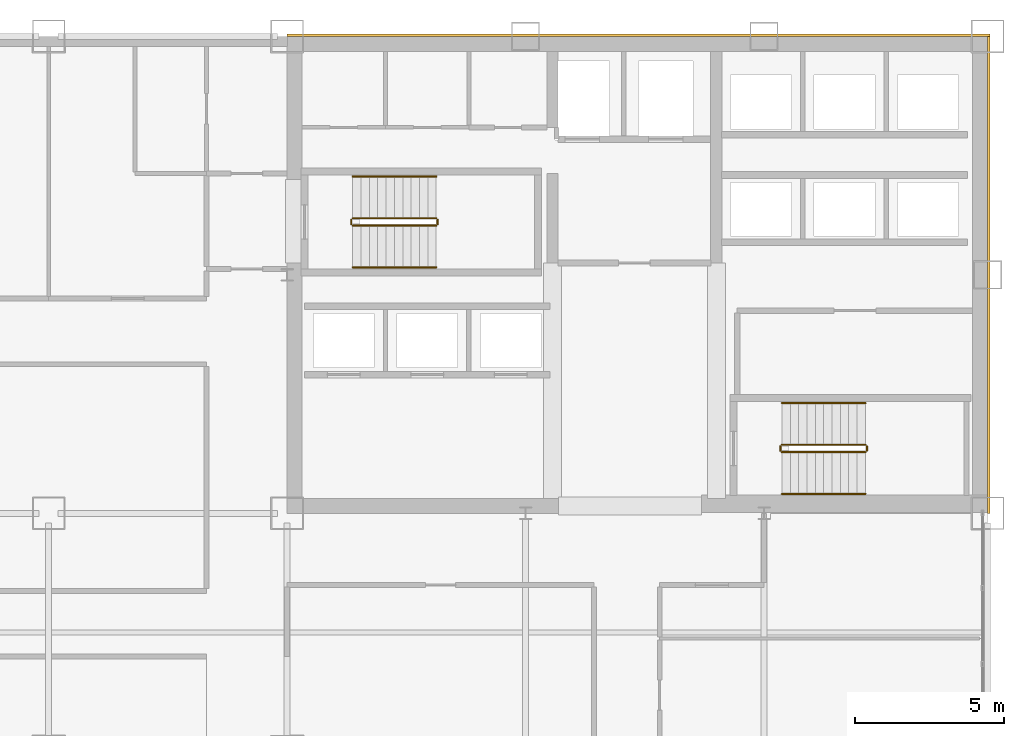
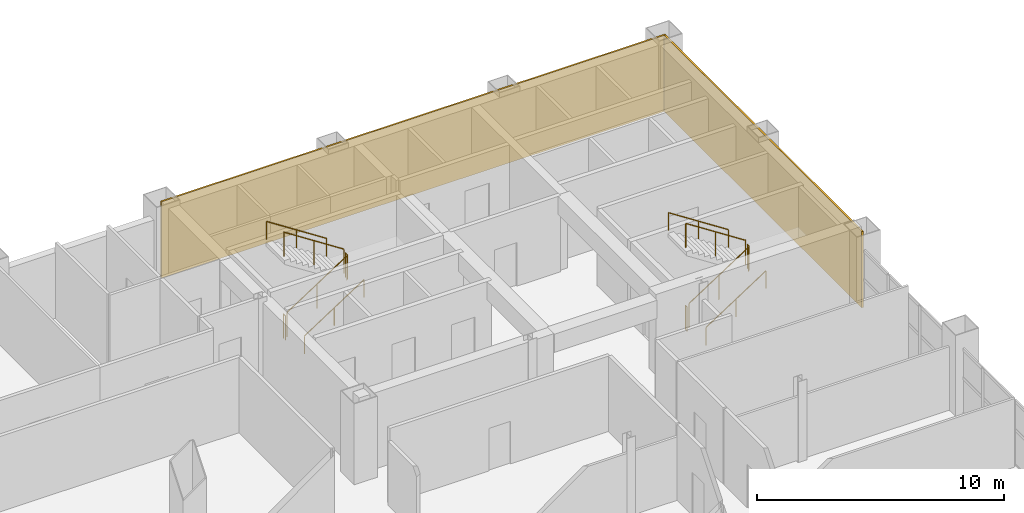
# One storey, part 16 of 16: 12 railings, 2 coverings.
"""IFC4 building model written with IfcOpenShell, lengths in metres."""

import ifcopenshell
import ifcopenshell.guid

model = None  # the IFC model being written
_history = None  # IfcOwnerHistory: only IFC2X3 demands one
_inside = {}  # id of a spatial element -> (the spatial element, [elements in it])
_under = {}  # id of a project, library or spatial element -> (it, [spatial elements below it])
_declared = {}  # id of a project -> (the project, [libraries it declares])
_typed = {}  # id of a type object -> (the type object, [elements of that type])
_made_of = {}  # id of a material, layer set ... -> (it, [elements and type objects made of it])


def new_model(schema):
    """Start an empty IFC model of exactly this schema.

    Asked for "IFC4X3", IfcOpenShell would pick the latest addendum, in which some entities
    have other attributes; the version numbers below select the first issue.
    IFC2X3 requires an IfcOwnerHistory on every rooted entity: one is made here for all.
    """
    global model, _history
    if schema == "IFC4X3":
        model = ifcopenshell.file(schema_version=(4, 3, 0, 0))
    else:
        model = ifcopenshell.file(schema=schema)
    _inside.clear()
    _under.clear()
    _declared.clear()
    _typed.clear()
    _made_of.clear()
    _history = None
    if model.schema == "IFC2X3":
        org = make("IfcOrganization", Name="unknown")
        user = make(
            "IfcPersonAndOrganization",
            ThePerson=make("IfcPerson", FamilyName="unknown"),
            TheOrganization=org,
        )
        app = make(
            "IfcApplication",
            ApplicationDeveloper=org,
            Version="unknown",
            ApplicationFullName="unknown",
            ApplicationIdentifier="unknown",
        )
        _history = make(
            "IfcOwnerHistory",
            OwningUser=user,
            OwningApplication=app,
            ChangeAction="ADDED",
            CreationDate=0,
        )
    return model


def make(cls, **values):
    """One entity of the class cls with the attributes given. An attribute that is None is left unset."""
    return model.create_entity(
        cls, **{name: value for name, value in values.items() if value is not None}
    )


def rooted(cls, **values):
    """An entity with a GlobalId (a new one), such as an element, a storey or a relation."""
    return make(cls, GlobalId=ifcopenshell.guid.new(), OwnerHistory=_history, **values)


def si_unit(unit_type, name, prefix=None):
    """IfcSIUnit, for example si_unit("LENGTHUNIT", "METRE", prefix="MILLI")."""
    return make("IfcSIUnit", UnitType=unit_type, Prefix=prefix, Name=name)


def assignment(units):
    """IfcUnitAssignment: the units of a project."""
    return None if units is None else make("IfcUnitAssignment", Units=units)


def point(xyz):
    """IfcCartesianPoint."""
    return None if xyz is None else make("IfcCartesianPoint", Coordinates=xyz)


def direction(xyz):
    """IfcDirection."""
    return None if xyz is None else make("IfcDirection", DirectionRatios=xyz)


def frame(location, z_axis=None, x_axis=None):
    """IfcAxis2Placement3D, a coordinate frame: its origin and axes. An axis left out is left unset."""
    return make(
        "IfcAxis2Placement3D",
        Location=point(location),
        Axis=direction(z_axis),
        RefDirection=direction(x_axis),
    )


def frame_2d(location, x_axis=None):
    """IfcAxis2Placement2D, a coordinate frame in the plane: its origin and x axis."""
    return make(
        "IfcAxis2Placement2D", Location=point(location), RefDirection=direction(x_axis)
    )


def origin():
    """The frame at (0, 0, 0) with its axes left unset."""
    return frame((0.0, 0.0, 0.0))


def origin_2d():
    """The frame at (0, 0) in the plane with its x axis left unset."""
    return frame_2d((0.0, 0.0))


def place(relative_to, where):
    """IfcLocalPlacement: puts the frame where relative to a parent placement (None: the world)."""
    return make(
        "IfcLocalPlacement", PlacementRelTo=relative_to, RelativePlacement=where
    )


def context(
    kind, dimensions, precision=None, world=None, true_north=None, identifier=None
):
    """IfcGeometricRepresentationContext, for example the 3D "Model" context."""
    return make(
        "IfcGeometricRepresentationContext",
        ContextIdentifier=identifier,
        ContextType=kind,
        CoordinateSpaceDimension=dimensions,
        Precision=precision,
        WorldCoordinateSystem=world,
        TrueNorth=true_north,
    )


def subcontext(parent, identifier, kind, view, scale=None):
    """IfcGeometricRepresentationSubContext, for example "Body" below "Model"."""
    return make(
        "IfcGeometricRepresentationSubContext",
        ContextIdentifier=identifier,
        ContextType=kind,
        ParentContext=parent,
        TargetScale=scale,
        TargetView=view,
    )


def project(units=None, contexts=None):
    """IfcProject with its units and contexts."""
    return rooted(
        "IfcProject",
        Name="project",
        RepresentationContexts=contexts,
        UnitsInContext=assignment(units),
    )


def spatial(cls, under=None, at=None, **own):
    """A site, building, storey or space (cls), placed at a placement, below another one or the project."""
    s = rooted(cls, ObjectPlacement=at, **own)
    if under is not None:
        _under.setdefault(under.id(), (under, []))[1].append(s)
    return s


def profile(cls, at=None, kind="AREA", **sizes):
    """A parametric profile (cls). Its sizes go by their IFC names, for example OverallWidth=200.0."""
    return make(cls, ProfileType=kind, Position=at, **sizes)


def rectangle(**sizes):
    """IfcRectangleProfileDef."""
    return profile("IfcRectangleProfileDef", **sizes)


def circle(**sizes):
    """IfcCircleProfileDef."""
    return profile("IfcCircleProfileDef", **sizes)


def extrude(swept, where, along, depth):
    """IfcExtrudedAreaSolid: the profile swept, set in the frame where, extruded along a direction by depth."""
    return make(
        "IfcExtrudedAreaSolid",
        SweptArea=swept,
        Position=where,
        ExtrudedDirection=direction(along),
        Depth=depth,
    )


def shape(context_of_items, identifier, shape_type, items):
    """IfcShapeRepresentation: the items that make up one representation, for example the "Body"."""
    return make(
        "IfcShapeRepresentation",
        ContextOfItems=context_of_items,
        RepresentationIdentifier=identifier,
        RepresentationType=shape_type,
        Items=items,
    )


def material(Name=None, Category=None):
    """IfcMaterial."""
    return make("IfcMaterial", Name=Name, Category=Category)


def layer(
    of_material, thickness, ventilated=None, Name=None, Category=None, Priority=None
):
    """IfcMaterialLayer: one layer of a wall or slab, of a material (None: an air gap)."""
    return make(
        "IfcMaterialLayer",
        Material=of_material,
        LayerThickness=thickness,
        IsVentilated=ventilated,
        Name=Name,
        Category=Category,
        Priority=Priority,
    )


def layer_set(layers, Name=None):
    """IfcMaterialLayerSet."""
    return make("IfcMaterialLayerSet", MaterialLayers=layers, LayerSetName=Name)


def made_of(thing, what):
    """Note that an element or type object is made of a material, layer set ...; save() writes the relation."""
    if what is not None:
        _made_of.setdefault(what.id(), (what, []))[1].append(thing)
    return thing


def type_object(cls, material=None, **own):
    """A type object (cls), such as IfcWallType, which elements share."""
    return made_of(rooted(cls, **own), material)


def element(
    cls,
    number,
    at=None,
    inside=None,
    cuts=None,
    type_object=None,
    material=None,
    context=None,
    identifier="Body",
    shape_type=None,
    held_by="IfcProductDefinitionShape",
    body=None,
    shapes=None,
    **own,
):
    """One element of the class cls, such as IfcWall. Its Tag is "e" and its number.

    at: its placement. inside: the storey or other place that contains it. cuts: it is an
    opening in that element (IfcRelVoidsElement). A single representation is given by context,
    identifier, shape_type and body (its items); several are given by shapes. held_by: the class
    of the entity that holds the representations. save() writes the other relations.
    """
    e = rooted(cls, Tag="e%d" % number, ObjectPlacement=at, **own)
    if body is not None:
        shapes = [shape(context, identifier, shape_type, body)]
    if shapes is not None:
        e.Representation = make(held_by, Representations=shapes)
    if inside is not None:
        _inside.setdefault(inside.id(), (inside, []))[1].append(e)
    if cuts is not None:
        rooted(
            "IfcRelVoidsElement", RelatingBuildingElement=cuts, RelatedOpeningElement=e
        )
    if type_object is not None:
        _typed.setdefault(type_object.id(), (type_object, []))[1].append(e)
    return made_of(e, material)


def aggregate(whole, parts):
    """IfcRelAggregates: a whole, such as a stair, and the parts it consists of."""
    return rooted("IfcRelAggregates", RelatingObject=whole, RelatedObjects=parts)


def save(model, path):
    """Write the relations noted so far, then the file.

    IfcRelAggregates (storeys below a building ...), IfcRelContainedInSpatialStructure (elements
    in a storey), IfcRelDefinesByType, IfcRelAssociatesMaterial and IfcRelDeclares: one each for
    every whole, place, type object, material and project.
    """
    for whole, parts in _under.values():
        aggregate(whole, parts)
    for where, things in _inside.values():
        rooted(
            "IfcRelContainedInSpatialStructure",
            RelatedElements=things,
            RelatingStructure=where,
        )
    for kind, things in _typed.values():
        rooted("IfcRelDefinesByType", RelatedObjects=things, RelatingType=kind)
    for what, things in _made_of.values():
        rooted("IfcRelAssociatesMaterial", RelatedObjects=things, RelatingMaterial=what)
    for by, libraries in _declared.values():
        rooted("IfcRelDeclares", RelatingContext=by, RelatedDefinitions=libraries)
    model.write(path)


model = new_model("IFC4")

# Units and contexts
model_context = context("Model", 3, precision=1e-05, world=origin(), true_north=direction((0.0, 1.0)))
body_context = subcontext(model_context, "Body", "Model", "MODEL_VIEW")
ifc_project = project(units=[si_unit("LENGTHUNIT", "METRE"), si_unit("AREAUNIT", "SQUARE_METRE"), si_unit("VOLUMEUNIT", "CUBIC_METRE"), si_unit("PLANEANGLEUNIT", "RADIAN"), si_unit("MASSUNIT", "GRAM", prefix="KILO")], contexts=[model_context])

# Site, building, storey
site_placement = place(None, origin())
site = spatial("IfcSite", under=ifc_project, at=site_placement, CompositionType="ELEMENT")
building_placement = place(site_placement, origin())
building = spatial("IfcBuilding", under=site, at=building_placement, Name="Qianrong Seaharbour Tower", CompositionType="ELEMENT")
storey_placement = place(building_placement, frame((0.0, 0.0, 123.0)))
storey = spatial("IfcBuildingStorey", under=building, at=storey_placement, Name="L29", CompositionType="ELEMENT", Elevation=123.0)

# Coverings
ifc_material_1 = material(Name="Unitised red brick cladding on Precast concrete C45/55", Category="masonry")
ifc_layer = layer(ifc_material_1, 0.080078125)
ifc_layer_set = layer_set([ifc_layer], Name="Unitised red brick cladding on Precast concrete C45/55")
covering_type = type_object("IfcCoveringType", Name="COV-CLAD-RED-BRICK-80", PredefinedType="CLADDING", material=ifc_layer_set)
covering_1_placement = place(storey_placement, frame((52.2900390625, 52.0400390625, 0.0), z_axis=(0.0, 0.0, 1.0), x_axis=(1.0, 0.0, 0.0)))
element("IfcCovering", 1, at=covering_1_placement, inside=storey, type_object=covering_type, Name="L29 North Core Brick Veneer Cladding", PredefinedType="CLADDING", context=body_context, shape_type="SweptSolid", body=[
    extrude(rectangle(XDim=23.580078125, YDim=0.080078125, at=origin_2d()), origin(), (0.0, 0.0, 1.0), 3.764892578125),
])
covering_2_placement = place(storey_placement, frame((64.0400390625, 44.0, 0.0), z_axis=(0.0, 0.0, 1.0), x_axis=(1.0, 0.0, 0.0)))
element("IfcCovering", 2, at=covering_2_placement, inside=storey, type_object=covering_type, Name="L29 East Core Brick Veneer Cladding", PredefinedType="CLADDING", context=body_context, shape_type="SweptSolid", body=[
    extrude(rectangle(XDim=0.080078125, YDim=16.0, at=origin_2d()), origin(), (0.0, 0.0, 1.0), 3.764892578125),
])

# Railings
ifc_material_2 = material(Name="Galvanized painted steel SN400B stair guard", Category="steel")
railing_type_1 = type_object("IfcRailingType", Name="RAIL-STAIR-GUARD-1220", PredefinedType="GUARDRAIL", material=ifc_material_2)
railing_1_placement = place(storey_placement, frame((42.699951171875, 45.64990234375, 0.181884765625)))
element("IfcRailing", 3, at=railing_1_placement, inside=storey, type_object=railing_type_1, Name="L29 ST-1 stair guard 1", PredefinedType="GUARDRAIL", context=body_context, shape_type="SweptSolid", body=[
    extrude(circle(Radius=0.02392578125, at=origin_2d()), frame((0.0, 0.0, 1.19580078125), z_axis=(0.838705829183, 0.0, 0.544584733623), x_axis=(0.0, 1.0, 0.0)), (0.0, 0.0, 1.0), 3.338623046875),
    extrude(circle(Radius=0.02099609375, at=origin_2d()), origin(), (0.0, 0.0, 1.0), 1.171875),
    extrude(circle(Radius=0.02099609375, at=origin_2d()), frame((1.39990234375, 0.0, 0.9091796875)), (0.0, 0.0, 1.0), 1.171875),
    extrude(circle(Radius=0.02099609375, at=origin_2d()), frame((2.800048828125, 0.0, 1.818115234375)), (0.0, 0.0, 1.0), 1.171875),
])
railing_2_placement = place(storey_placement, frame((45.550048828125, 45.699951171875, 2.0)))
element("IfcRailing", 4, at=railing_2_placement, inside=storey, type_object=railing_type_1, Name="L29 ST-1 stair guard 2", PredefinedType="GUARDRAIL", context=body_context, shape_type="SweptSolid", body=[
    extrude(circle(Radius=0.02392578125, at=origin_2d()), frame((0.0, 0.0, 1.19580078125), z_axis=(0.0, 1.0, 0.0), x_axis=(-1.0, 0.0, 0.0)), (0.0, 0.0, 1.0), 0.150146484375),
    extrude(circle(Radius=0.02099609375, at=origin_2d()), origin(), (0.0, 0.0, 1.0), 1.171875),
    extrude(circle(Radius=0.02099609375, at=origin_2d()), frame((0.0, 0.150146484375, 0.0)), (0.0, 0.0, 1.0), 1.171875),
])
railing_3_placement = place(storey_placement, frame((45.5, 45.89990234375, 2.181884765625)))
element("IfcRailing", 5, at=railing_3_placement, inside=storey, type_object=railing_type_1, Name="L29 ST-1 stair guard 3", PredefinedType="GUARDRAIL", context=body_context, shape_type="SweptSolid", body=[
    extrude(circle(Radius=0.02392578125, at=origin_2d()), frame((0.0, 0.0, 1.19580078125), z_axis=(-0.838705829183, 0.0, 0.544584733623), x_axis=(0.0, -1.0, 0.0)), (0.0, 0.0, 1.0), 3.338623046875),
    extrude(circle(Radius=0.02099609375, at=origin_2d()), origin(), (0.0, 0.0, 1.0), 1.171875),
    extrude(circle(Radius=0.02099609375, at=origin_2d()), frame((-1.39990234375, 0.0, 0.9091796875)), (0.0, 0.0, 1.0), 1.171875),
    extrude(circle(Radius=0.02099609375, at=origin_2d()), frame((-2.800048828125, 0.0, 1.818115234375)), (0.0, 0.0, 1.0), 1.171875),
])
railing_4_placement = place(storey_placement, frame((42.64990234375, 45.699951171875, 0.0)))
element("IfcRailing", 6, at=railing_4_placement, inside=storey, type_object=railing_type_1, Name="L29 ST-1 stair guard 4", PredefinedType="GUARDRAIL", context=body_context, shape_type="SweptSolid", body=[
    extrude(circle(Radius=0.02392578125, at=origin_2d()), frame((0.0, 0.0, 1.19580078125), z_axis=(0.0, 1.0, 0.0), x_axis=(-1.0, 0.0, 0.0)), (0.0, 0.0, 1.0), 0.150146484375),
    extrude(circle(Radius=0.02099609375, at=origin_2d()), origin(), (0.0, 0.0, 1.0), 1.171875),
    extrude(circle(Radius=0.02099609375, at=origin_2d()), frame((0.0, 0.150146484375, 0.0)), (0.0, 0.0, 1.0), 1.171875),
])
railing_5_placement = place(storey_placement, frame((57.10009765625, 38.050048828125, 0.181884765625)))
element("IfcRailing", 7, at=railing_5_placement, inside=storey, type_object=railing_type_1, Name="L29 ST-2 stair guard 1", PredefinedType="GUARDRAIL", context=body_context, shape_type="SweptSolid", body=[
    extrude(circle(Radius=0.02392578125, at=origin_2d()), frame((0.0, 0.0, 1.19580078125), z_axis=(0.83868413941, 0.0, 0.544618136222), x_axis=(0.0, 1.0, 0.0)), (0.0, 0.0, 1.0), 3.33837890625),
    extrude(circle(Radius=0.02099609375, at=origin_2d()), origin(), (0.0, 0.0, 1.0), 1.171875),
    extrude(circle(Radius=0.02099609375, at=origin_2d()), frame((1.39990234375, 0.0, 0.9091796875)), (0.0, 0.0, 1.0), 1.171875),
    extrude(circle(Radius=0.02099609375, at=origin_2d()), frame((2.7998046875, 0.0, 1.818115234375)), (0.0, 0.0, 1.0), 1.171875),
])
railing_6_placement = place(storey_placement, frame((59.949951171875, 38.10009765625, 2.0)))
element("IfcRailing", 8, at=railing_6_placement, inside=storey, type_object=railing_type_1, Name="L29 ST-2 stair guard 2", PredefinedType="GUARDRAIL", context=body_context, shape_type="SweptSolid", body=[
    extrude(circle(Radius=0.02392578125, at=origin_2d()), frame((0.0, 0.0, 1.19580078125), z_axis=(0.0, 1.0, 0.0), x_axis=(-1.0, 0.0, 0.0)), (0.0, 0.0, 1.0), 0.14990234375),
    extrude(circle(Radius=0.02099609375, at=origin_2d()), origin(), (0.0, 0.0, 1.0), 1.171875),
    extrude(circle(Radius=0.02099609375, at=origin_2d()), frame((0.0, 0.14990234375, 0.0)), (0.0, 0.0, 1.0), 1.171875),
])
railing_7_placement = place(storey_placement, frame((59.89990234375, 38.300048828125, 2.181884765625)))
element("IfcRailing", 9, at=railing_7_placement, inside=storey, type_object=railing_type_1, Name="L29 ST-2 stair guard 3", PredefinedType="GUARDRAIL", context=body_context, shape_type="SweptSolid", body=[
    extrude(circle(Radius=0.02392578125, at=origin_2d()), frame((0.0, 0.0, 1.19580078125), z_axis=(-0.83868413941, 0.0, 0.544618136222), x_axis=(0.0, -1.0, 0.0)), (0.0, 0.0, 1.0), 3.33837890625),
    extrude(circle(Radius=0.02099609375, at=origin_2d()), origin(), (0.0, 0.0, 1.0), 1.171875),
    extrude(circle(Radius=0.02099609375, at=origin_2d()), frame((-1.39990234375, 0.0, 0.9091796875)), (0.0, 0.0, 1.0), 1.171875),
    extrude(circle(Radius=0.02099609375, at=origin_2d()), frame((-2.7998046875, 0.0, 1.818115234375)), (0.0, 0.0, 1.0), 1.171875),
])
railing_8_placement = place(storey_placement, frame((57.050048828125, 38.10009765625, 0.0)))
element("IfcRailing", 10, at=railing_8_placement, inside=storey, type_object=railing_type_1, Name="L29 ST-2 stair guard 4", PredefinedType="GUARDRAIL", context=body_context, shape_type="SweptSolid", body=[
    extrude(circle(Radius=0.02392578125, at=origin_2d()), frame((0.0, 0.0, 1.19580078125), z_axis=(0.0, 1.0, 0.0), x_axis=(-1.0, 0.0, 0.0)), (0.0, 0.0, 1.0), 0.14990234375),
    extrude(circle(Radius=0.02099609375, at=origin_2d()), origin(), (0.0, 0.0, 1.0), 1.171875),
    extrude(circle(Radius=0.02099609375, at=origin_2d()), frame((0.0, 0.14990234375, 0.0)), (0.0, 0.0, 1.0), 1.171875),
])
ifc_material_3 = material(Name="Stainless steel SUS316L continuous handrail", Category="steel")
railing_type_2 = type_object("IfcRailingType", Name="RAIL-STAIR-HANDRAIL-900", PredefinedType="HANDRAIL", material=ifc_material_3)
railing_9_placement = place(storey_placement, frame((42.699951171875, 44.25, 0.181884765625)))
element("IfcRailing", 11, at=railing_9_placement, inside=storey, type_object=railing_type_2, Name="L29 ST-1 stair handrail 1", PredefinedType="HANDRAIL", context=body_context, shape_type="SweptSolid", body=[
    extrude(circle(Radius=0.02392578125, at=origin_2d()), frame((0.0, 0.0, 0.8759765625), z_axis=(0.838705829183, 0.0, 0.544584733623), x_axis=(0.0, 1.0, 0.0)), (0.0, 0.0, 1.0), 3.338623046875),
    extrude(circle(Radius=0.02099609375, at=origin_2d()), origin(), (0.0, 0.0, 1.0), 0.851806640625),
    extrude(circle(Radius=0.02099609375, at=origin_2d()), frame((1.39990234375, 0.0, 0.9091796875)), (0.0, 0.0, 1.0), 0.851806640625),
    extrude(circle(Radius=0.02099609375, at=origin_2d()), frame((2.800048828125, 0.0, 1.818115234375)), (0.0, 0.0, 1.0), 0.851806640625),
])
railing_10_placement = place(storey_placement, frame((45.5, 47.300048828125, 2.181884765625)))
element("IfcRailing", 12, at=railing_10_placement, inside=storey, type_object=railing_type_2, Name="L29 ST-1 stair handrail 2", PredefinedType="HANDRAIL", context=body_context, shape_type="SweptSolid", body=[
    extrude(circle(Radius=0.02392578125, at=origin_2d()), frame((0.0, 0.0, 0.8759765625), z_axis=(-0.838705829183, 0.0, 0.544584733623), x_axis=(0.0, -1.0, 0.0)), (0.0, 0.0, 1.0), 3.338623046875),
    extrude(circle(Radius=0.02099609375, at=origin_2d()), origin(), (0.0, 0.0, 1.0), 0.851806640625),
    extrude(circle(Radius=0.02099609375, at=origin_2d()), frame((-1.39990234375, 0.0, 0.9091796875)), (0.0, 0.0, 1.0), 0.851806640625),
    extrude(circle(Radius=0.02099609375, at=origin_2d()), frame((-2.800048828125, 0.0, 1.818115234375)), (0.0, 0.0, 1.0), 0.851806640625),
])
railing_11_placement = place(storey_placement, frame((57.10009765625, 36.64990234375, 0.181884765625)))
element("IfcRailing", 13, at=railing_11_placement, inside=storey, type_object=railing_type_2, Name="L29 ST-2 stair handrail 1", PredefinedType="HANDRAIL", context=body_context, shape_type="SweptSolid", body=[
    extrude(circle(Radius=0.02392578125, at=origin_2d()), frame((0.0, 0.0, 0.8759765625), z_axis=(0.83868413941, 0.0, 0.544618136222), x_axis=(0.0, 1.0, 0.0)), (0.0, 0.0, 1.0), 3.33837890625),
    extrude(circle(Radius=0.02099609375, at=origin_2d()), origin(), (0.0, 0.0, 1.0), 0.851806640625),
    extrude(circle(Radius=0.02099609375, at=origin_2d()), frame((1.39990234375, 0.0, 0.9091796875)), (0.0, 0.0, 1.0), 0.851806640625),
    extrude(circle(Radius=0.02099609375, at=origin_2d()), frame((2.7998046875, 0.0, 1.818115234375)), (0.0, 0.0, 1.0), 0.851806640625),
])
railing_12_placement = place(storey_placement, frame((59.89990234375, 39.699951171875, 2.181884765625)))
element("IfcRailing", 14, at=railing_12_placement, inside=storey, type_object=railing_type_2, Name="L29 ST-2 stair handrail 2", PredefinedType="HANDRAIL", context=body_context, shape_type="SweptSolid", body=[
    extrude(circle(Radius=0.02392578125, at=origin_2d()), frame((0.0, 0.0, 0.8759765625), z_axis=(-0.83868413941, 0.0, 0.544618136222), x_axis=(0.0, -1.0, 0.0)), (0.0, 0.0, 1.0), 3.33837890625),
    extrude(circle(Radius=0.02099609375, at=origin_2d()), origin(), (0.0, 0.0, 1.0), 0.851806640625),
    extrude(circle(Radius=0.02099609375, at=origin_2d()), frame((-1.39990234375, 0.0, 0.9091796875)), (0.0, 0.0, 1.0), 0.851806640625),
    extrude(circle(Radius=0.02099609375, at=origin_2d()), frame((-2.7998046875, 0.0, 1.818115234375)), (0.0, 0.0, 1.0), 0.851806640625),
])

save(model, "model.ifc")
